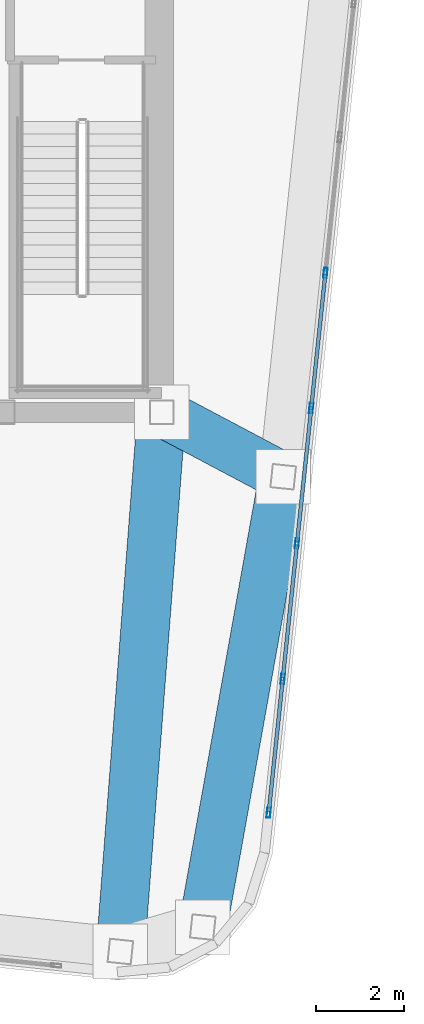
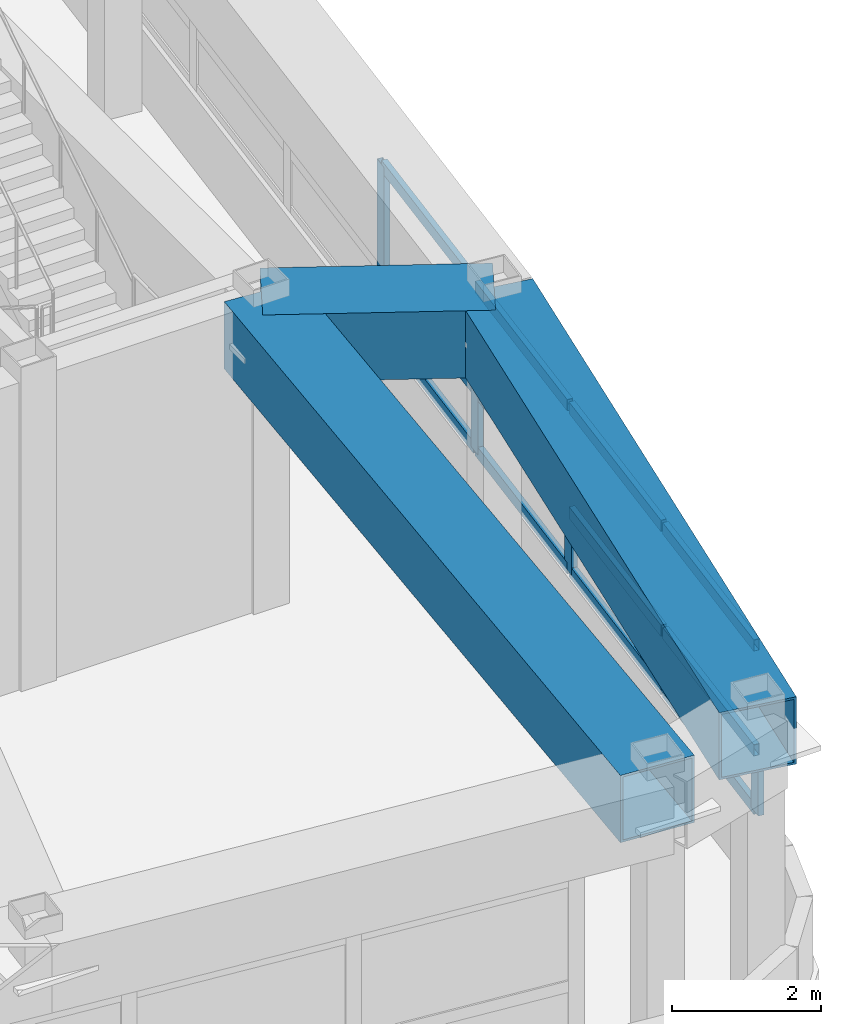
# One storey, part 11 of 23: 17 members, 3 beams, 1 element without a shape of its own.
"""IFC4 building model written with IfcOpenShell, lengths in metres."""

from ifc_helpers import new_model, si_unit, direction, frame, origin, origin_2d, place, context, subcontext, project, spatial, hollow_rectangle, extrude, material, layer, layer_set, material_profile, profile_set, type_object, element, aggregate, save


model = new_model("IFC4")

# Units and contexts
model_context = context("Model", 3, precision=1e-05, world=origin(), true_north=direction((0.0, 1.0)))
body_context = subcontext(model_context, "Body", "Model", "MODEL_VIEW")
ifc_project = project(units=[si_unit("LENGTHUNIT", "METRE"), si_unit("AREAUNIT", "SQUARE_METRE"), si_unit("VOLUMEUNIT", "CUBIC_METRE"), si_unit("PLANEANGLEUNIT", "RADIAN"), si_unit("MASSUNIT", "GRAM", prefix="KILO")], contexts=[model_context])

# Site, building, storey
site_placement = place(None, origin())
site = spatial("IfcSite", under=ifc_project, at=site_placement, CompositionType="ELEMENT")
building_placement = place(site_placement, origin())
building = spatial("IfcBuilding", under=site, at=building_placement, Name="Voryun Gate Residences", CompositionType="ELEMENT")
storey_placement = place(building_placement, frame((0.0, 0.0, 316.0)))
storey = spatial("IfcBuildingStorey", under=building, at=storey_placement, Name="L78", CompositionType="ELEMENT", Elevation=316.0)

# Beams
ifc_material_1 = material(Name="Steel SM420", Category="steel")
ifc_material_profile_1 = material_profile(ifc_material_1, hollow_rectangle(XDim=1.10009765625, YDim=1.10009765625, WallThickness=0.035888671875, at=origin_2d()), Name="BOX-1100x1100x36")
ifc_profile_set_1 = profile_set([ifc_material_profile_1], Name="Steel SM420")
beam_type = type_object("IfcBeamType", Name="BM_ARCH_RIB", PredefinedType="USERDEFINED", material=ifc_profile_set_1)
beam_1_placement = place(storey_placement, frame((20.1328125, -19.083984375, 4.47509765625), z_axis=(0.175791452213, 0.984427430199, 0.0), x_axis=(-0.984427430199, 0.175791452213, 0.0)))
element("IfcBeam", 1, at=beam_1_placement, inside=storey, type_object=beam_type, Name="BM-L78-SPAND-07", ObjectType="GIRDER", PredefinedType="USERDEFINED", context=body_context, shape_type="SweptSolid", body=[
    extrude(hollow_rectangle(XDim=1.10009765625, YDim=1.10009765625, WallThickness=0.035888671875, at=origin_2d()), origin(), (0.0, 0.0, 1.0), 10.384033203125),
])
beam_2_placement = place(storey_placement, frame((19.199951171875, -7.39990234375, 4.47509765625), z_axis=(-0.076459214337, -0.997072709757, 0.0), x_axis=(0.997072709757, -0.076459214337, 0.0)))
element("IfcBeam", 2, at=beam_2_placement, inside=storey, type_object=beam_type, Name="BM-L78-RAD-S6", ObjectType="GIRDER", PredefinedType="USERDEFINED", context=body_context, shape_type="SweptSolid", body=[
    extrude(hollow_rectangle(XDim=1.10009765625, YDim=1.10009765625, WallThickness=0.035888671875, at=origin_2d()), origin(), (0.0, 0.0, 1.0), 12.274169921875),
])
beam_3_placement = place(storey_placement, frame((19.199951171875, -7.39990234375, 4.47509765625), z_axis=(0.883603317059, -0.468236241745, 0.0), x_axis=(0.468236241745, 0.883603317059, 0.0)))
element("IfcBeam", 3, at=beam_3_placement, inside=storey, type_object=beam_type, Name="BM-L78-RAD-E1", ObjectType="GIRDER", PredefinedType="USERDEFINED", context=body_context, shape_type="SweptSolid", body=[
    extrude(hollow_rectangle(XDim=1.10009765625, YDim=1.10009765625, WallThickness=0.035888671875, at=origin_2d()), origin(), (0.0, 0.0, 1.0), 3.12158203125),
])

# Curtain wall, members
ifc_material_2 = material(Name="Anodised aluminium", Category="aluminium")
ifc_layer = layer(ifc_material_2, 0.22998046875, Name="CW_SYS_LANTERN_DARK_GLASS")
ifc_layer_set = layer_set([ifc_layer], Name="Anodised aluminium")
curtain_wall_type = type_object("IfcCurtainWallType", Name="CW_SYS_LANTERN_DARK_GLASS", PredefinedType="NOTDEFINED", material=ifc_layer_set)
curtain_wall_placement = place(storey_placement, origin())
curtain_wall = element("IfcCurtainWall", 4, at=curtain_wall_placement, inside=storey, type_object=curtain_wall_type, Name="Curtain wall CW6-L78-16", PredefinedType="NOTDEFINED")
ifc_material_3 = material(Name="Anodised aluminium", Category="aluminium")
ifc_material_profile_2 = material_profile(ifc_material_3, hollow_rectangle(XDim=0.0849609375, YDim=0.22998046875, WallThickness=0.006103515625, at=origin_2d()), Name="ALU-MULL-230x85x6")
ifc_profile_set_2 = profile_set([ifc_material_profile_2], Name="Anodised aluminium")
member_type_1 = type_object("IfcMemberType", Name="CW_MULL_LANT", PredefinedType="MULLION", material=ifc_profile_set_2)
member_1_placement = place(storey_placement, frame((22.917236328125, -4.234375, 1.18994140625), z_axis=(0.0, 0.0, 1.0), x_axis=(0.994521943608, -0.104528004296, 0.0)))
member_1 = element("IfcMember", 5, at=member_1_placement, type_object=member_type_1, Name="CW6 mullion 6", PredefinedType="MULLION", context=body_context, shape_type="SweptSolid", body=[
    extrude(hollow_rectangle(XDim=0.0849609375, YDim=0.22998046875, WallThickness=0.006103515625, at=origin_2d()), origin(), (0.0, 0.0, 1.0), 2.72509765625),
])
member_2_placement = place(storey_placement, frame((22.594482421875, -7.305419921875, 1.18994140625), z_axis=(0.0, 0.0, 1.0), x_axis=(0.994521943608, -0.104528004296, 0.0)))
member_2 = element("IfcMember", 6, at=member_2_placement, type_object=member_type_1, Name="CW6 mullion 7", PredefinedType="MULLION", context=body_context, shape_type="SweptSolid", body=[
    extrude(hollow_rectangle(XDim=0.0849609375, YDim=0.22998046875, WallThickness=0.006103515625, at=origin_2d()), origin(), (0.0, 0.0, 1.0), 2.72509765625),
])
member_3_placement = place(storey_placement, frame((22.271728515625, -10.376220703125, 1.18994140625), z_axis=(0.0, 0.0, 1.0), x_axis=(0.994521943608, -0.104528004296, 0.0)))
member_3 = element("IfcMember", 7, at=member_3_placement, type_object=member_type_1, Name="CW6 mullion 8", PredefinedType="MULLION", context=body_context, shape_type="SweptSolid", body=[
    extrude(hollow_rectangle(XDim=0.0849609375, YDim=0.22998046875, WallThickness=0.006103515625, at=origin_2d()), origin(), (0.0, 0.0, 1.0), 2.72509765625),
])
member_4_placement = place(storey_placement, frame((21.948974609375, -13.447265625, 1.18994140625), z_axis=(0.0, 0.0, 1.0), x_axis=(0.994521943608, -0.104528004296, 0.0)))
member_4 = element("IfcMember", 8, at=member_4_placement, type_object=member_type_1, Name="CW6 mullion 9", PredefinedType="MULLION", context=body_context, shape_type="SweptSolid", body=[
    extrude(hollow_rectangle(XDim=0.0849609375, YDim=0.22998046875, WallThickness=0.006103515625, at=origin_2d()), origin(), (0.0, 0.0, 1.0), 2.72509765625),
])
member_5_placement = place(storey_placement, frame((21.629150390625, -16.48828125, 1.18994140625), z_axis=(0.0, 0.0, 1.0), x_axis=(0.994521943608, -0.104528004296, 0.0)))
member_5 = element("IfcMember", 9, at=member_5_placement, type_object=member_type_1, Name="CW6 mullion 10", PredefinedType="MULLION", context=body_context, shape_type="SweptSolid", body=[
    extrude(hollow_rectangle(XDim=0.0849609375, YDim=0.22998046875, WallThickness=0.006103515625, at=origin_2d()), origin(), (0.0, 0.0, 1.0), 2.72509765625),
])
ifc_material_4 = material(Name="Anodised aluminium", Category="aluminium")
ifc_material_profile_3 = material_profile(ifc_material_4, hollow_rectangle(XDim=0.0849609375, YDim=0.18994140625, WallThickness=0.006103515625, at=origin_2d()), Name="ALU-TRAN-190x85x6")
ifc_profile_set_3 = profile_set([ifc_material_profile_3], Name="Anodised aluminium")
member_type_2 = type_object("IfcMemberType", Name="CW_TRAN_LANT", PredefinedType="USERDEFINED", material=ifc_profile_set_3)
member_6_placement = place(storey_placement, frame((22.9140625, -4.26416015625, 1.219970703125), z_axis=(-0.104500100479, -0.994524876009, 0.0), x_axis=(0.994524876009, -0.104500100479, 0.0)))
member_6 = element("IfcMember", 10, at=member_6_placement, type_object=member_type_2, Name="CW6 transom 6.1", ObjectType="TRANSOM", PredefinedType="USERDEFINED", context=body_context, shape_type="SweptSolid", body=[
    extrude(hollow_rectangle(XDim=0.0849609375, YDim=0.18994140625, WallThickness=0.006103515625, at=origin_2d()), origin(), (0.0, 0.0, 1.0), 3.02783203125),
])
member_7_placement = place(storey_placement, frame((22.9140625, -4.26416015625, 2.1708984375), z_axis=(-0.104500100479, -0.994524876009, 0.0), x_axis=(0.994524876009, -0.104500100479, 0.0)))
member_7 = element("IfcMember", 11, at=member_7_placement, type_object=member_type_2, Name="CW6 transom 6.2", ObjectType="TRANSOM", PredefinedType="USERDEFINED", context=body_context, shape_type="SweptSolid", body=[
    extrude(hollow_rectangle(XDim=0.0849609375, YDim=0.18994140625, WallThickness=0.006103515625, at=origin_2d()), origin(), (0.0, 0.0, 1.0), 3.02783203125),
])
member_8_placement = place(storey_placement, frame((22.9140625, -4.26416015625, 3.885009765625), z_axis=(-0.104500100479, -0.994524876009, 0.0), x_axis=(0.994524876009, -0.104500100479, 0.0)))
member_8 = element("IfcMember", 12, at=member_8_placement, type_object=member_type_2, Name="CW6 transom 6.3", ObjectType="TRANSOM", PredefinedType="USERDEFINED", context=body_context, shape_type="SweptSolid", body=[
    extrude(hollow_rectangle(XDim=0.0849609375, YDim=0.18994140625, WallThickness=0.006103515625, at=origin_2d()), origin(), (0.0, 0.0, 1.0), 3.02783203125),
])
member_9_placement = place(storey_placement, frame((22.59130859375, -7.335205078125, 1.219970703125), z_axis=(-0.104579851732, -0.994516492881, 0.0), x_axis=(0.994516492881, -0.104579851732, 0.0)))
member_9 = element("IfcMember", 13, at=member_9_placement, type_object=member_type_2, Name="CW6 transom 7.1", ObjectType="TRANSOM", PredefinedType="USERDEFINED", context=body_context, shape_type="SweptSolid", body=[
    extrude(hollow_rectangle(XDim=0.0849609375, YDim=0.18994140625, WallThickness=0.006103515625, at=origin_2d()), origin(), (0.0, 0.0, 1.0), 3.02783203125),
])
member_10_placement = place(storey_placement, frame((22.59130859375, -7.335205078125, 2.1708984375), z_axis=(-0.104579851732, -0.994516492881, 0.0), x_axis=(0.994516492881, -0.104579851732, 0.0)))
member_10 = element("IfcMember", 14, at=member_10_placement, type_object=member_type_2, Name="CW6 transom 7.2", ObjectType="TRANSOM", PredefinedType="USERDEFINED", context=body_context, shape_type="SweptSolid", body=[
    extrude(hollow_rectangle(XDim=0.0849609375, YDim=0.18994140625, WallThickness=0.006103515625, at=origin_2d()), origin(), (0.0, 0.0, 1.0), 3.02783203125),
])
member_11_placement = place(storey_placement, frame((22.59130859375, -7.335205078125, 3.885009765625), z_axis=(-0.104579851732, -0.994516492881, 0.0), x_axis=(0.994516492881, -0.104579851732, 0.0)))
member_11 = element("IfcMember", 15, at=member_11_placement, type_object=member_type_2, Name="CW6 transom 7.3", ObjectType="TRANSOM", PredefinedType="USERDEFINED", context=body_context, shape_type="SweptSolid", body=[
    extrude(hollow_rectangle(XDim=0.0849609375, YDim=0.18994140625, WallThickness=0.006103515625, at=origin_2d()), origin(), (0.0, 0.0, 1.0), 3.02783203125),
])
member_12_placement = place(storey_placement, frame((22.2685546875, -10.406005859375, 1.219970703125), z_axis=(-0.104579851732, -0.994516492881, 0.0), x_axis=(0.994516492881, -0.104579851732, 0.0)))
member_12 = element("IfcMember", 16, at=member_12_placement, type_object=member_type_2, Name="CW6 transom 8.1", ObjectType="TRANSOM", PredefinedType="USERDEFINED", context=body_context, shape_type="SweptSolid", body=[
    extrude(hollow_rectangle(XDim=0.0849609375, YDim=0.18994140625, WallThickness=0.006103515625, at=origin_2d()), origin(), (0.0, 0.0, 1.0), 3.02783203125),
])
member_13_placement = place(storey_placement, frame((22.2685546875, -10.406005859375, 2.1708984375), z_axis=(-0.104579851732, -0.994516492881, 0.0), x_axis=(0.994516492881, -0.104579851732, 0.0)))
member_13 = element("IfcMember", 17, at=member_13_placement, type_object=member_type_2, Name="CW6 transom 8.2", ObjectType="TRANSOM", PredefinedType="USERDEFINED", context=body_context, shape_type="SweptSolid", body=[
    extrude(hollow_rectangle(XDim=0.0849609375, YDim=0.18994140625, WallThickness=0.006103515625, at=origin_2d()), origin(), (0.0, 0.0, 1.0), 3.02783203125),
])
member_14_placement = place(storey_placement, frame((22.2685546875, -10.406005859375, 3.885009765625), z_axis=(-0.104579851732, -0.994516492881, 0.0), x_axis=(0.994516492881, -0.104579851732, 0.0)))
member_14 = element("IfcMember", 18, at=member_14_placement, type_object=member_type_2, Name="CW6 transom 8.3", ObjectType="TRANSOM", PredefinedType="USERDEFINED", context=body_context, shape_type="SweptSolid", body=[
    extrude(hollow_rectangle(XDim=0.0849609375, YDim=0.18994140625, WallThickness=0.006103515625, at=origin_2d()), origin(), (0.0, 0.0, 1.0), 3.02783203125),
])
member_15_placement = place(storey_placement, frame((21.94580078125, -13.47705078125, 1.219970703125), z_axis=(-0.104566085446, -0.994517940398, 0.0), x_axis=(0.994517940398, -0.104566085446, 0.0)))
member_15 = element("IfcMember", 19, at=member_15_placement, type_object=member_type_2, Name="CW6 transom 9.1", ObjectType="TRANSOM", PredefinedType="USERDEFINED", context=body_context, shape_type="SweptSolid", body=[
    extrude(hollow_rectangle(XDim=0.0849609375, YDim=0.18994140625, WallThickness=0.006103515625, at=origin_2d()), origin(), (0.0, 0.0, 1.0), 2.997802734375),
])
member_16_placement = place(storey_placement, frame((21.94580078125, -13.47705078125, 2.1708984375), z_axis=(-0.104566085446, -0.994517940398, 0.0), x_axis=(0.994517940398, -0.104566085446, 0.0)))
member_16 = element("IfcMember", 20, at=member_16_placement, type_object=member_type_2, Name="CW6 transom 9.2", ObjectType="TRANSOM", PredefinedType="USERDEFINED", context=body_context, shape_type="SweptSolid", body=[
    extrude(hollow_rectangle(XDim=0.0849609375, YDim=0.18994140625, WallThickness=0.006103515625, at=origin_2d()), origin(), (0.0, 0.0, 1.0), 2.997802734375),
])
member_17_placement = place(storey_placement, frame((21.94580078125, -13.47705078125, 3.885009765625), z_axis=(-0.104566085446, -0.994517940398, 0.0), x_axis=(0.994517940398, -0.104566085446, 0.0)))
member_17 = element("IfcMember", 21, at=member_17_placement, type_object=member_type_2, Name="CW6 transom 9.3", ObjectType="TRANSOM", PredefinedType="USERDEFINED", context=body_context, shape_type="SweptSolid", body=[
    extrude(hollow_rectangle(XDim=0.0849609375, YDim=0.18994140625, WallThickness=0.006103515625, at=origin_2d()), origin(), (0.0, 0.0, 1.0), 2.997802734375),
])
aggregate(curtain_wall, [member_1, member_2, member_3, member_4, member_5, member_6, member_7, member_8, member_9, member_10, member_11, member_12, member_13, member_14, member_15, member_16, member_17])

save(model, "model.ifc")
